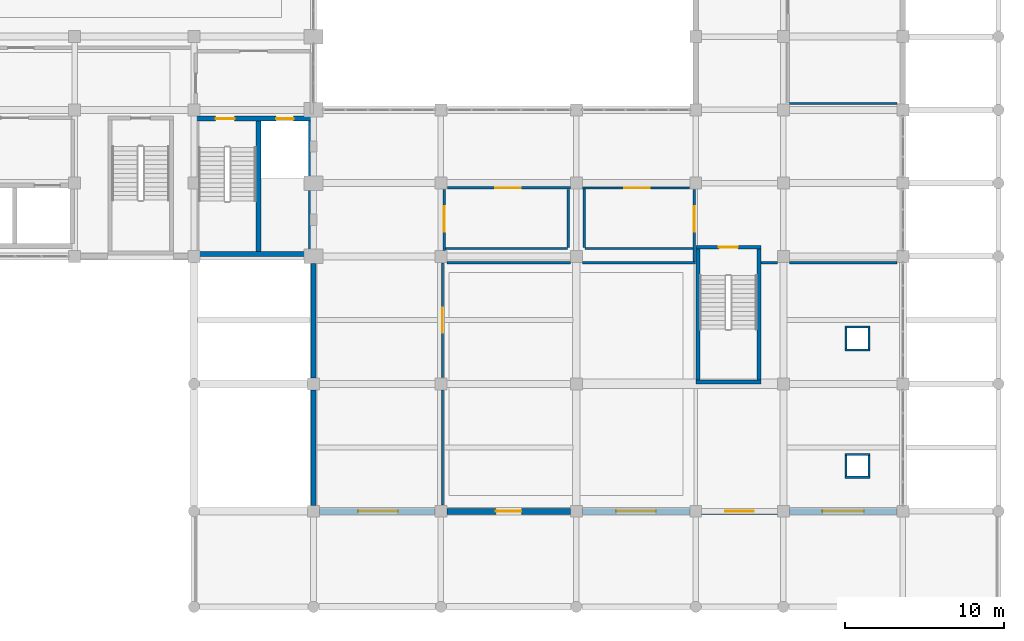
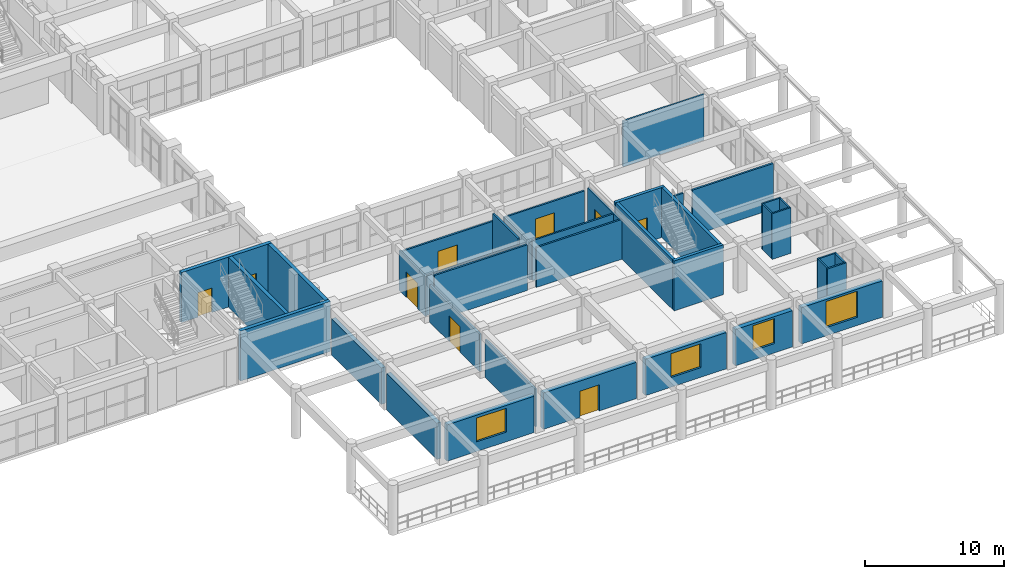
# One storey, part 101 of 116: 38 walls, 9 doors, 4 windows, 13 openings.
"""IFC4 building model written with IfcOpenShell, lengths in metres."""

from ifc_helpers import new_model, si_unit, direction, frame, frame_2d, origin, place, context, subcontext, project, spatial, rectangle, extrude, material, layer, layer_set, type_object, element, fill, save


model = new_model("IFC4")

# Units and contexts
model_context = context("Model", 3, precision=1e-05, world=origin(), true_north=direction((0.0, 1.0)))
body_context = subcontext(model_context, "Body", "Model", "MODEL_VIEW")
ifc_project = project(units=[si_unit("LENGTHUNIT", "METRE"), si_unit("AREAUNIT", "SQUARE_METRE"), si_unit("VOLUMEUNIT", "CUBIC_METRE"), si_unit("PLANEANGLEUNIT", "RADIAN"), si_unit("MASSUNIT", "GRAM", prefix="KILO")], contexts=[model_context])

# Site, building, storey
site_placement = place(None, origin())
site = spatial("IfcSite", under=ifc_project, at=site_placement, CompositionType="ELEMENT")
building_placement = place(site_placement, origin())
building = spatial("IfcBuilding", under=site, at=building_placement, Name="Muzn Square Opera House", CompositionType="ELEMENT")
storey_placement = place(building_placement, frame((0.0, 0.0, 5.39990234375)))
storey = spatial("IfcBuildingStorey", under=building, at=storey_placement, Name="L01", CompositionType="ELEMENT", Elevation=5.39990234375)

# Walls
ifc_material_1 = material(Name="Concrete C45/55", Category="concrete")
ifc_layer_1 = layer(ifc_material_1, 0.25, Name="Concrete C45/55", Category="concrete")
ifc_layer_set_1 = layer_set([ifc_layer_1], Name="Concrete C45/55")
wall_type_1 = type_object("IfcWallType", Name="Aux Stair Enclosure Wall 250mm", PredefinedType="SHEAR", material=ifc_layer_set_1)
wall_1_placement = place(storey_placement, frame((157.0, 14.125, 0.0), z_axis=(0.0, 0.0, 1.0), x_axis=(1.0, 0.0, 0.0)))
element("IfcWall", 1, at=wall_1_placement, inside=storey, type_object=wall_type_1, Name="Escape Stair ST-8 Wall S L01", PredefinedType="SHEAR", context=body_context, shape_type="SweptSolid", body=[
    extrude(rectangle(XDim=4.10009765625, YDim=0.25, at=frame_2d((2.050048828125, 0.0))), origin(), (0.0, 0.0, 1.0), 4.400146484375),
])
for number, where, z_axis, x_axis, name in (
    (2, (157.125, 14.25, 0.0), (0.0, 0.0, 1.0), (0.0, 1.0, 0.0), "Escape Stair ST-8 Wall W L01"),
    (3, (160.97509765625, 14.25, 0.0), (0.0, 0.0, 1.0), (0.0, 1.0, 0.0), "Escape Stair ST-8 Wall E L01"),
):
    element("IfcWall", number, at=place(storey_placement, frame(where, z_axis=z_axis, x_axis=x_axis)), inside=storey, type_object=wall_type_1, Name=name, PredefinedType="SHEAR", context=body_context, shape_type="SweptSolid", body=[
        extrude(rectangle(XDim=8.199951171875, YDim=0.25, at=frame_2d((4.10009765625, 0.0))), origin(), (0.0, 0.0, 1.0), 4.400146484375),
    ])

# Wall, opening, door
wall_2_placement = place(storey_placement, frame((157.0, 22.574951171875, 0.0), z_axis=(0.0, 0.0, 1.0), x_axis=(1.0, 0.0, 0.0)))
wall_2 = element("IfcWall", 4, at=wall_2_placement, inside=storey, type_object=wall_type_1, Name="Escape Stair ST-8 Wall N L01", PredefinedType="SHEAR", context=body_context, shape_type="SweptSolid", body=[
    extrude(rectangle(XDim=4.10009765625, YDim=0.25, at=frame_2d((2.050048828125, 0.0))), origin(), (0.0, 0.0, 1.0), 4.400146484375),
])
opening_1_placement = place(wall_2_placement, frame((1.449951171875, 0.0, 0.0)))
opening_1 = element("IfcOpeningElement", 5, at=opening_1_placement, cuts=wall_2, Name="Opening DR-ST12", PredefinedType="OPENING", context=body_context, shape_type="SweptSolid", body=[
    extrude(rectangle(XDim=1.199951171875, YDim=2.14990234375, at=frame_2d((0.60009765625, 1.074951171875))), frame((0.0, 0.135009765625, 0.0), z_axis=(0.0, -1.0, 0.0), x_axis=(1.0, 0.0, 0.0)), (0.0, 0.0, 1.0), 0.27001953125),
])
ifc_material_2 = material(Name="Galvanised painted steel leaf", Category="metal")
door_type_1 = type_object("IfcDoorType", Name="Core Stair Fire Door 1200x2150", OperationType="NOTDEFINED", PredefinedType="DOOR", material=ifc_material_2)
door_1_placement = place(opening_1_placement, origin())
door_1 = element("IfcDoor", 6, at=door_1_placement, inside=storey, type_object=door_type_1, Name="Escape Stair ST-8 Door L01", OperationType="SINGLE_SWING_RIGHT", OverallHeight=2.14990234375, OverallWidth=1.199951171875, PredefinedType="DOOR", context=body_context, shape_type="SweptSolid", body=[
    extrude(rectangle(XDim=1.199951171875, YDim=2.14990234375, at=frame_2d((0.60009765625, 1.074951171875))), frame((0.0, 0.02490234375, 0.0), z_axis=(0.0, -1.0, 0.0), x_axis=(1.0, 0.0, 0.0)), (0.0, 0.0, 1.0), 0.050048828125),
])
fill(opening_1, door_1)

# Walls
ifc_layer_2 = layer(ifc_material_1, 0.300048828125, Name="Concrete C45/55", Category="concrete")
ifc_layer_set_2 = layer_set([ifc_layer_2], Name="Concrete C45/55")
wall_type_2 = type_object("IfcWallType", Name="Core Shear Wall 300mm", PredefinedType="SHEAR", material=ifc_layer_set_2)
wall_3_placement = place(storey_placement, frame((125.5, 22.14990234375, 0.0), z_axis=(0.0, 0.0, 1.0), x_axis=(1.0, 0.0, 0.0)))
element("IfcWall", 7, at=wall_3_placement, inside=storey, type_object=wall_type_2, Name="Core C4 Shear Wall SW-C4-L01-S", PredefinedType="SHEAR", context=body_context, shape_type="SweptSolid", body=[
    extrude(rectangle(XDim=7.5, YDim=0.300048828125, at=frame_2d((3.75, 0.0))), origin(), (0.0, 0.0, 1.0), 4.400146484375),
])
for number, where, z_axis, x_axis, name in (
    (8, (132.85009765625, 22.300048828125, 0.0), (0.0, 0.0, 1.0), (0.0, 1.0, 0.0), "Core C4 Shear Wall SW-C4-L01-E"),
    (9, (129.550048828125, 22.300048828125, 0.0), (0.0, 0.0, 1.0), (0.0, 1.0, 0.0), "Core C4 Shear Wall SW-C4-L01-DIV"),
):
    element("IfcWall", number, at=place(storey_placement, frame(where, z_axis=z_axis, x_axis=x_axis)), inside=storey, type_object=wall_type_2, Name=name, PredefinedType="SHEAR", context=body_context, shape_type="SweptSolid", body=[
        extrude(rectangle(XDim=8.199951171875, YDim=0.300048828125, at=frame_2d((4.10009765625, 0.0))), origin(), (0.0, 0.0, 1.0), 4.400146484375),
    ])

# Wall, openings, doors
wall_4_placement = place(storey_placement, frame((125.5, 30.64990234375, 0.0), z_axis=(0.0, 0.0, 1.0), x_axis=(1.0, 0.0, 0.0)))
wall_4 = element("IfcWall", 10, at=wall_4_placement, inside=storey, type_object=wall_type_2, Name="Core C4 Front Shear Wall L01", PredefinedType="SHEAR", context=body_context, shape_type="SweptSolid", body=[
    extrude(rectangle(XDim=7.5, YDim=0.300048828125, at=frame_2d((3.75, 0.0))), origin(), (0.0, 0.0, 1.0), 4.400146484375),
])
opening_2_placement = place(wall_4_placement, frame((1.35009765625, 0.0, 0.0)))
opening_2 = element("IfcOpeningElement", 11, at=opening_2_placement, cuts=wall_4, Name="Opening DR-ST12", PredefinedType="OPENING", context=body_context, shape_type="SweptSolid", body=[
    extrude(rectangle(XDim=1.199951171875, YDim=2.14990234375, at=frame_2d((0.60009765625, 1.074951171875))), frame((0.0, 0.159912109375, 0.0), z_axis=(0.0, -1.0, 0.0), x_axis=(1.0, 0.0, 0.0)), (0.0, 0.0, 1.0), 0.320068359375),
])
opening_3_placement = place(wall_4_placement, frame((5.14990234375, 0.0, 0.0)))
opening_3 = element("IfcOpeningElement", 12, at=opening_3_placement, cuts=wall_4, Name="Opening LD-01", PredefinedType="OPENING", context=body_context, shape_type="SweptSolid", body=[
    extrude(rectangle(XDim=1.10009765625, YDim=2.14990234375, at=frame_2d((0.550048828125, 1.074951171875))), frame((0.0, 0.159912109375, 0.0), z_axis=(0.0, -1.0, 0.0), x_axis=(1.0, 0.0, 0.0)), (0.0, 0.0, 1.0), 0.320068359375),
])
door_2_placement = place(opening_2_placement, origin())
door_2 = element("IfcDoor", 13, at=door_2_placement, inside=storey, type_object=door_type_1, Name="Core C4 Stair Door L01", OperationType="SINGLE_SWING_RIGHT", OverallHeight=2.14990234375, OverallWidth=1.199951171875, PredefinedType="DOOR", context=body_context, shape_type="SweptSolid", body=[
    extrude(rectangle(XDim=1.199951171875, YDim=2.14990234375, at=frame_2d((0.60009765625, 1.074951171875))), frame((0.0, 0.02490234375, 0.0), z_axis=(0.0, -1.0, 0.0), x_axis=(1.0, 0.0, 0.0)), (0.0, 0.0, 1.0), 0.050048828125),
])
fill(opening_2, door_2)
ifc_material_3 = material(Name="Brushed stainless steel", Category="metal")
door_type_2 = type_object("IfcDoorType", Name="Lift Landing Sliding Door 1100x2150", OperationType="SLIDING_TO_LEFT", PredefinedType="DOOR", material=ifc_material_3)
door_3_placement = place(opening_3_placement, origin())
door_3 = element("IfcDoor", 14, at=door_3_placement, inside=storey, type_object=door_type_2, Name="Lift PL-3 Sliding Landing Door L01", OperationType="SLIDING_TO_LEFT", OverallHeight=2.14990234375, OverallWidth=1.10009765625, PredefinedType="DOOR", context=body_context, shape_type="SweptSolid", body=[
    extrude(rectangle(XDim=1.10009765625, YDim=2.14990234375, at=frame_2d((0.550048828125, 1.074951171875))), frame((0.0, 0.02490234375, 0.0), z_axis=(0.0, -1.0, 0.0), x_axis=(1.0, 0.0, 0.0)), (0.0, 0.0, 1.0), 0.050048828125),
])
fill(opening_3, door_3)

# Walls
ifc_material_4 = material(Name="Concrete C40/50", Category="concrete")
ifc_layer_3 = layer(ifc_material_4, 0.340087890625, Name="Concrete C40/50", Category="concrete")
ifc_layer_set_3 = layer_set([ifc_layer_3], Name="Concrete C40/50")
wall_type_3 = type_object("IfcWallType", Name="Exterior Insulated Spandrel Wall 340mm", PredefinedType="SOLIDWALL", material=ifc_layer_set_3)
wall_5_placement = place(storey_placement, frame((133.0, 6.375, 0.0), z_axis=(0.0, 0.0, 1.0), x_axis=(0.0, 1.0, 0.0)))
element("IfcWall", 15, at=wall_5_placement, inside=storey, type_object=wall_type_3, Name="Exterior Facade Wall EW-L01-166", PredefinedType="SOLIDWALL", context=body_context, shape_type="SweptSolid", body=[
    extrude(rectangle(XDim=7.25, YDim=0.340087890625, at=frame_2d((3.625, 0.0))), origin(), (0.0, 0.0, 1.0), 3.2001953125),
])
wall_6_placement = place(storey_placement, frame((133.0, 14.375, 0.0), z_axis=(0.0, 0.0, 1.0), x_axis=(0.0, 1.0, 0.0)))
element("IfcWall", 16, at=wall_6_placement, inside=storey, type_object=wall_type_3, Name="Exterior Facade Wall EW-L01-167", PredefinedType="SOLIDWALL", context=body_context, shape_type="SweptSolid", body=[
    extrude(rectangle(XDim=7.175048828125, YDim=0.340087890625, at=frame_2d((3.58740234375, 0.0))), origin(), (0.0, 0.0, 1.0), 3.2001953125),
])

# Wall, opening, window
ifc_layer_4 = layer(ifc_material_4, 0.3798828125, Name="Concrete C40/50", Category="concrete")
ifc_layer_set_4 = layer_set([ifc_layer_4], Name="Concrete C40/50")
wall_type_4 = type_object("IfcWallType", Name="Exterior Limestone Wall 380mm", PredefinedType="SOLIDWALL", material=ifc_layer_set_4)
wall_7_placement = place(storey_placement, frame((133.375, 6.0, 0.0), z_axis=(0.0, 0.0, 1.0), x_axis=(1.0, 0.0, 0.0)))
wall_7 = element("IfcWall", 17, at=wall_7_placement, inside=storey, type_object=wall_type_4, Name="Exterior Facade Wall EW-L01-020", PredefinedType="SOLIDWALL", context=body_context, shape_type="SweptSolid", body=[
    extrude(rectangle(XDim=7.25, YDim=0.3798828125, at=frame_2d((3.625, 0.0))), origin(), (0.0, 0.0, 1.0), 3.2001953125),
])
opening_4_placement = place(wall_7_placement, frame((2.425048828125, 0.0, 0.85009765625)))
opening_4 = element("IfcOpeningElement", 18, at=opening_4_placement, cuts=wall_7, Name="Opening WN-X2521", PredefinedType="OPENING", context=body_context, shape_type="SweptSolid", body=[
    extrude(rectangle(XDim=2.5, YDim=2.10009765625, at=frame_2d((1.25, 1.050048828125))), frame((0.0, 0.199951171875, 0.0), z_axis=(0.0, -1.0, 0.0), x_axis=(1.0, 0.0, 0.0)), (0.0, 0.0, 1.0), 0.39990234375),
])
ifc_material_5 = material(Name="Low-E laminated acoustic double glazing", Category="glass")
window_type_1 = type_object("IfcWindowType", Name="Box Office Window 2500x2100", PartitioningType="DOUBLE_PANEL_VERTICAL", PredefinedType="WINDOW", material=ifc_material_5)
window_1_placement = place(opening_4_placement, origin())
window_1 = element("IfcWindow", 19, at=window_1_placement, inside=storey, type_object=window_type_1, Name="Box Office Window 2500x2100 EW-L01-020-WN01", OverallHeight=2.10009765625, OverallWidth=2.5, PartitioningType="SINGLE_PANEL", PredefinedType="WINDOW", context=body_context, shape_type="SweptSolid", body=[
    extrude(rectangle(XDim=2.5, YDim=2.10009765625, at=frame_2d((1.25, 1.050048828125))), frame((0.0, 0.030029296875, 0.0), z_axis=(0.0, -1.0, 0.0), x_axis=(1.0, 0.0, 0.0)), (0.0, 0.0, 1.0), 0.06005859375),
])
fill(opening_4, window_1)

# Wall, opening, door
wall_8_placement = place(storey_placement, frame((141.375, 6.0, 0.0), z_axis=(0.0, 0.0, 1.0), x_axis=(1.0, 0.0, 0.0)))
wall_8 = element("IfcWall", 20, at=wall_8_placement, inside=storey, type_object=wall_type_4, Name="Exterior Facade Wall EW-L01-021", PredefinedType="SOLIDWALL", context=body_context, shape_type="SweptSolid", body=[
    extrude(rectangle(XDim=7.75, YDim=0.3798828125, at=frame_2d((3.875, 0.0))), origin(), (0.0, 0.0, 1.0), 3.2001953125),
])
opening_5_placement = place(wall_8_placement, frame((4.675048828125, 0.0, 0.0), z_axis=(0.0, 0.0, 1.0), x_axis=(-1.0, 0.0, 0.0)))
opening_5 = element("IfcOpeningElement", 21, at=opening_5_placement, cuts=wall_8, Name="Opening DR-TR16", PredefinedType="OPENING", context=body_context, shape_type="SweptSolid", body=[
    extrude(rectangle(XDim=1.60009765625, YDim=2.300048828125, at=frame_2d((0.800048828125, 1.14990234375))), frame((0.0, 0.199951171875, 0.0), z_axis=(0.0, -1.0, 0.0), x_axis=(1.0, 0.0, 0.0)), (0.0, 0.0, 1.0), 0.39990234375),
])
ifc_material_6 = material(Name="Anodised bronze aluminium", Category="metal")
door_type_3 = type_object("IfcDoorType", Name="Loggia Glazed Door 1600x2300", OperationType="DOUBLE_DOOR_SINGLE_SWING", PredefinedType="DOOR", material=ifc_material_6)
door_4_placement = place(opening_5_placement, origin())
door_4 = element("IfcDoor", 22, at=door_4_placement, inside=storey, type_object=door_type_3, Name="East Loggia Terrace Door", OperationType="DOUBLE_DOOR_SINGLE_SWING", OverallHeight=2.300048828125, OverallWidth=1.60009765625, PredefinedType="DOOR", context=body_context, shape_type="SweptSolid", body=[
    extrude(rectangle(XDim=1.60009765625, YDim=2.300048828125, at=frame_2d((0.800048828125, 1.14990234375))), frame((0.0, 0.02490234375, 0.0), z_axis=(0.0, -1.0, 0.0), x_axis=(1.0, 0.0, 0.0)), (0.0, 0.0, 1.0), 0.050048828125),
])
fill(opening_5, door_4)

# Wall, opening, window
wall_9_placement = place(storey_placement, frame((149.875, 6.0, 0.0), z_axis=(0.0, 0.0, 1.0), x_axis=(1.0, 0.0, 0.0)))
wall_9 = element("IfcWall", 23, at=wall_9_placement, inside=storey, type_object=wall_type_4, Name="Exterior Facade Wall EW-L01-022", PredefinedType="SOLIDWALL", context=body_context, shape_type="SweptSolid", body=[
    extrude(rectangle(XDim=6.75, YDim=0.3798828125, at=frame_2d((3.375, 0.0))), origin(), (0.0, 0.0, 1.0), 3.2001953125),
])
opening_6_placement = place(wall_9_placement, frame((2.125, 0.0, 0.85009765625)))
opening_6 = element("IfcOpeningElement", 24, at=opening_6_placement, cuts=wall_9, Name="Opening WN-X2521", PredefinedType="OPENING", context=body_context, shape_type="SweptSolid", body=[
    extrude(rectangle(XDim=2.5, YDim=2.10009765625, at=frame_2d((1.25, 1.050048828125))), frame((0.0, 0.199951171875, 0.0), z_axis=(0.0, -1.0, 0.0), x_axis=(1.0, 0.0, 0.0)), (0.0, 0.0, 1.0), 0.39990234375),
])
window_2_placement = place(opening_6_placement, origin())
window_2 = element("IfcWindow", 25, at=window_2_placement, inside=storey, type_object=window_type_1, Name="Box Office Window 2500x2100 EW-L01-022-WN01", OverallHeight=2.10009765625, OverallWidth=2.5, PartitioningType="SINGLE_PANEL", PredefinedType="WINDOW", context=body_context, shape_type="SweptSolid", body=[
    extrude(rectangle(XDim=2.5, YDim=2.10009765625, at=frame_2d((1.25, 1.050048828125))), frame((0.0, 0.030029296875, 0.0), z_axis=(0.0, -1.0, 0.0), x_axis=(1.0, 0.0, 0.0)), (0.0, 0.0, 1.0), 0.06005859375),
])
fill(opening_6, window_2)

wall_10_placement = place(storey_placement, frame((157.375, 6.0, 0.0), z_axis=(0.0, 0.0, 1.0), x_axis=(1.0, 0.0, 0.0)))
wall_10 = element("IfcWall", 26, at=wall_10_placement, inside=storey, type_object=wall_type_4, Name="Exterior Facade Wall EW-L01-023", PredefinedType="SOLIDWALL", context=body_context, shape_type="SweptSolid", body=[
    extrude(rectangle(XDim=4.75, YDim=0.3798828125, at=frame_2d((2.375, 0.0))), origin(), (0.0, 0.0, 1.0), 3.2001953125),
])
opening_7_placement = place(wall_10_placement, frame((1.47509765625, 0.0, 0.820068359375)))
opening_7 = element("IfcOpeningElement", 27, at=opening_7_placement, cuts=wall_10, Name="Opening WN-A1822", PredefinedType="OPENING", context=body_context, shape_type="SweptSolid", body=[
    extrude(rectangle(XDim=1.800048828125, YDim=2.199951171875, at=frame_2d((0.89990234375, 1.10009765625))), frame((0.0, 0.199951171875, 0.0), z_axis=(0.0, -1.0, 0.0), x_axis=(1.0, 0.0, 0.0)), (0.0, 0.0, 1.0), 0.39990234375),
])
window_type_2 = type_object("IfcWindowType", Name="Soloist Suite Window 1800x2200", PartitioningType="DOUBLE_PANEL_VERTICAL", PredefinedType="WINDOW", material=ifc_material_5)
window_3_placement = place(opening_7_placement, origin())
window_3 = element("IfcWindow", 28, at=window_3_placement, inside=storey, type_object=window_type_2, Name="Soloist Suite Window 1800x2200 EW-L01-023-WN01", OverallHeight=2.199951171875, OverallWidth=1.800048828125, PartitioningType="SINGLE_PANEL", PredefinedType="WINDOW", context=body_context, shape_type="SweptSolid", body=[
    extrude(rectangle(XDim=1.800048828125, YDim=2.199951171875, at=frame_2d((0.89990234375, 1.10009765625))), frame((0.0, 0.030029296875, 0.0), z_axis=(0.0, -1.0, 0.0), x_axis=(1.0, 0.0, 0.0)), (0.0, 0.0, 1.0), 0.06005859375),
])
fill(opening_7, window_3)

wall_11_placement = place(storey_placement, frame((162.875, 6.0, 0.0), z_axis=(0.0, 0.0, 1.0), x_axis=(1.0, 0.0, 0.0)))
wall_11 = element("IfcWall", 29, at=wall_11_placement, inside=storey, type_object=wall_type_4, Name="Exterior Facade Wall EW-L01-024", PredefinedType="SOLIDWALL", context=body_context, shape_type="SweptSolid", body=[
    extrude(rectangle(XDim=6.75, YDim=0.3798828125, at=frame_2d((3.375, 0.0))), origin(), (0.0, 0.0, 1.0), 3.2001953125),
])
opening_8_placement = place(wall_11_placement, frame((2.074951171875, 0.0, 0.719970703125)))
opening_8 = element("IfcOpeningElement", 30, at=opening_8_placement, cuts=wall_11, Name="Opening WN-D2623", PredefinedType="OPENING", context=body_context, shape_type="SweptSolid", body=[
    extrude(rectangle(XDim=2.60009765625, YDim=2.300048828125, at=frame_2d((1.300048828125, 1.14990234375))), frame((0.0, 0.199951171875, 0.0), z_axis=(0.0, -1.0, 0.0), x_axis=(1.0, 0.0, 0.0)), (0.0, 0.0, 1.0), 0.39990234375),
])
window_type_3 = type_object("IfcWindowType", Name="Dining Courtyard Window 2600x2300", PartitioningType="DOUBLE_PANEL_VERTICAL", PredefinedType="WINDOW", material=ifc_material_5)
window_4_placement = place(opening_8_placement, origin())
window_4 = element("IfcWindow", 31, at=window_4_placement, inside=storey, type_object=window_type_3, Name="Dining Courtyard Window 2600x2300 EW-L01-024-WN01", OverallHeight=2.300048828125, OverallWidth=2.60009765625, PartitioningType="SINGLE_PANEL", PredefinedType="WINDOW", context=body_context, shape_type="SweptSolid", body=[
    extrude(rectangle(XDim=2.60009765625, YDim=2.300048828125, at=frame_2d((1.300048828125, 1.14990234375))), frame((0.0, 0.030029296875, 0.0), z_axis=(0.0, -1.0, 0.0), x_axis=(1.0, 0.0, 0.0)), (0.0, 0.0, 1.0), 0.06005859375),
])
fill(opening_8, window_4)

# Wall, opening, door
ifc_material_7 = material(Name="Acoustic gypsum stud partition", Category="gypsum")
ifc_layer_5 = layer(ifc_material_7, 0.14990234375, Name="Acoustic gypsum stud partition", Category="gypsum")
ifc_layer_set_5 = layer_set([ifc_layer_5], Name="Acoustic gypsum stud partition")
wall_type_5 = type_object("IfcWallType", Name="Office Acoustic Partition 150mm", PredefinedType="PARTITIONING", material=ifc_layer_set_5)
wall_12_placement = place(storey_placement, frame((141.10009765625, 14.39501953125, 0.0), z_axis=(0.0, 0.0, 1.0), x_axis=(0.0, 1.0, 0.0)))
wall_12 = element("IfcWall", 32, at=wall_12_placement, inside=storey, type_object=wall_type_5, Name="Interior Partition PW-L01-0156", PredefinedType="PARTITIONING", context=body_context, shape_type="SweptSolid", body=[
    extrude(rectangle(XDim=7.205078125, YDim=0.14990234375, at=frame_2d((3.6025390625, 0.0))), origin(), (0.0, 0.0, 1.0), 3.300048828125),
])
opening_9_placement = place(wall_12_placement, frame((2.827392578125, 0.0, 0.0)))
opening_9 = element("IfcOpeningElement", 33, at=opening_9_placement, cuts=wall_12, Name="Opening DR-IB15", PredefinedType="OPENING", context=body_context, shape_type="SweptSolid", body=[
    extrude(rectangle(XDim=1.550048828125, YDim=2.25, at=frame_2d((0.77490234375, 1.125))), frame((0.0, 0.0849609375, 0.0), z_axis=(0.0, -1.0, 0.0), x_axis=(1.0, 0.0, 0.0)), (0.0, 0.0, 1.0), 0.169921875),
])
ifc_material_8 = material(Name="Acoustic hardwood leaf", Category="wood")
door_type_4 = type_object("IfcDoorType", Name="Interval Bar Double Door 1550x2250", OperationType="DOUBLE_DOOR_SINGLE_SWING", PredefinedType="DOOR", material=ifc_material_8)
door_5_placement = place(opening_9_placement, origin())
door_5 = element("IfcDoor", 34, at=door_5_placement, inside=storey, type_object=door_type_4, Name="Champagne Interval Bar Door DR-L01-0049", OperationType="DOUBLE_DOOR_SINGLE_SWING", OverallHeight=2.25, OverallWidth=1.550048828125, PredefinedType="DOOR", context=body_context, shape_type="SweptSolid", body=[
    extrude(rectangle(XDim=1.550048828125, YDim=2.25, at=frame_2d((0.77490234375, 1.125))), frame((0.0, 0.02490234375, 0.0), z_axis=(0.0, -1.0, 0.0), x_axis=(1.0, 0.0, 0.0)), (0.0, 0.0, 1.0), 0.050048828125),
])
fill(opening_9, door_5)

# Wall
wall_13_placement = place(storey_placement, frame((141.10009765625, 6.39990234375, 0.0), z_axis=(0.0, 0.0, 1.0), x_axis=(0.0, 1.0, 0.0)))
element("IfcWall", 35, at=wall_13_placement, inside=storey, type_object=wall_type_5, Name="Interior Partition PW-L01-0157", PredefinedType="PARTITIONING", context=body_context, shape_type="SweptSolid", body=[
    extrude(rectangle(XDim=7.205078125, YDim=0.14990234375, at=frame_2d((3.6025390625, 0.0))), origin(), (0.0, 0.0, 1.0), 3.330078125),
])

# Wall, opening, door
wall_14_placement = place(storey_placement, frame((141.39990234375, 26.300048828125, 0.0), z_axis=(0.0, 0.0, 1.0), x_axis=(1.0, 0.0, 0.0)))
wall_14 = element("IfcWall", 36, at=wall_14_placement, inside=storey, type_object=wall_type_5, Name="Interior Partition PW-L01-0168", PredefinedType="PARTITIONING", context=body_context, shape_type="SweptSolid", body=[
    extrude(rectangle(XDim=7.72021484375, YDim=0.14990234375, at=frame_2d((3.860107421875, 0.0))), origin(), (0.0, 0.0, 1.0), 3.300048828125),
])
opening_10_placement = place(wall_14_placement, frame((3.0, 0.0, 0.0)))
opening_10 = element("IfcOpeningElement", 37, at=opening_10_placement, cuts=wall_14, Name="Opening DR-AU16", PredefinedType="OPENING", context=body_context, shape_type="SweptSolid", body=[
    extrude(rectangle(XDim=1.60009765625, YDim=2.25, at=frame_2d((0.800048828125, 1.125))), frame((0.0, 0.0849609375, 0.0), z_axis=(0.0, -1.0, 0.0), x_axis=(1.0, 0.0, 0.0)), (0.0, 0.0, 1.0), 0.169921875),
])
door_type_5 = type_object("IfcDoorType", Name="Balcony Acoustic Entry Door 1600x2250", OperationType="DOUBLE_DOOR_SINGLE_SWING", PredefinedType="DOOR", material=ifc_material_8)
door_6_placement = place(opening_10_placement, origin())
door_6 = element("IfcDoor", 38, at=door_6_placement, inside=storey, type_object=door_type_5, Name="Dress Circle Attendant Lounge Door DR-L01-0054", OperationType="DOUBLE_DOOR_SINGLE_SWING", OverallHeight=2.25, OverallWidth=1.60009765625, PredefinedType="DOOR", context=body_context, shape_type="SweptSolid", body=[
    extrude(rectangle(XDim=1.60009765625, YDim=2.25, at=frame_2d((0.800048828125, 1.125))), frame((0.0, 0.02490234375, 0.0), z_axis=(0.0, -1.0, 0.0), x_axis=(1.0, 0.0, 0.0)), (0.0, 0.0, 1.0), 0.050048828125),
])
fill(opening_10, door_6)

wall_15_placement = place(storey_placement, frame((141.199951171875, 22.3798828125, 0.0), z_axis=(0.0, 0.0, 1.0), x_axis=(0.0, 1.0, 0.0)))
wall_15 = element("IfcWall", 39, at=wall_15_placement, inside=storey, type_object=wall_type_5, Name="Interior Partition PW-L01-0169", PredefinedType="PARTITIONING", context=body_context, shape_type="SweptSolid", body=[
    extrude(rectangle(XDim=3.820068359375, YDim=0.14990234375, at=frame_2d((1.91015625, 0.0))), origin(), (0.0, 0.0, 1.0), 3.5),
])
opening_11_placement = place(wall_15_placement, frame((1.169921875, 0.0, 0.0)))
opening_11 = element("IfcOpeningElement", 40, at=opening_11_placement, cuts=wall_15, Name="Opening DR-AU16", PredefinedType="OPENING", context=body_context, shape_type="SweptSolid", body=[
    extrude(rectangle(XDim=1.60009765625, YDim=2.25, at=frame_2d((0.800048828125, 1.125))), frame((0.0, 0.0849609375, 0.0), z_axis=(0.0, -1.0, 0.0), x_axis=(1.0, 0.0, 0.0)), (0.0, 0.0, 1.0), 0.169921875),
])
door_7_placement = place(opening_11_placement, origin())
door_7 = element("IfcDoor", 41, at=door_7_placement, inside=storey, type_object=door_type_5, Name="Dress Circle Attendant Lounge Door DR-L01-0055", OperationType="DOUBLE_DOOR_SINGLE_SWING", OverallHeight=2.25, OverallWidth=1.60009765625, PredefinedType="DOOR", context=body_context, shape_type="SweptSolid", body=[
    extrude(rectangle(XDim=1.60009765625, YDim=2.25, at=frame_2d((0.800048828125, 1.125))), frame((0.0, 0.02490234375, 0.0), z_axis=(0.0, -1.0, 0.0), x_axis=(1.0, 0.0, 0.0)), (0.0, 0.0, 1.0), 0.050048828125),
])
fill(opening_11, door_7)

# Walls
wall_16_placement = place(storey_placement, frame((141.3798828125, 21.60009765625, 0.0), z_axis=(0.0, 0.0, 1.0), x_axis=(1.0, 0.0, 0.0)))
element("IfcWall", 42, at=wall_16_placement, inside=storey, type_object=wall_type_5, Name="Room Enclosure Partition PW-L01-0208", PredefinedType="PARTITIONING", context=body_context, shape_type="SweptSolid", body=[
    extrude(rectangle(XDim=7.740234375, YDim=0.14990234375, at=frame_2d((3.8701171875, 0.0))), origin(), (0.0, 0.0, 1.0), 4.02001953125),
])
wall_17_placement = place(storey_placement, frame((149.8798828125, 21.60009765625, 0.0), z_axis=(0.0, 0.0, 1.0), x_axis=(1.0, 0.0, 0.0)))
element("IfcWall", 43, at=wall_17_placement, inside=storey, type_object=wall_type_5, Name="Room Enclosure Partition PW-L01-0209", PredefinedType="PARTITIONING", context=body_context, shape_type="SweptSolid", body=[
    extrude(rectangle(XDim=7.115234375, YDim=0.14990234375, at=frame_2d((3.5576171875, 0.0))), origin(), (0.0, 0.0, 1.0), 3.5),
])
wall_18_placement = place(storey_placement, frame((161.10498046875, 21.60009765625, 0.0), z_axis=(0.0, 0.0, 1.0), x_axis=(1.0, 0.0, 0.0)))
element("IfcWall", 44, at=wall_18_placement, inside=storey, type_object=wall_type_5, Name="Room Enclosure Partition PW-L01-0210", PredefinedType="PARTITIONING", context=body_context, shape_type="SweptSolid", body=[
    extrude(rectangle(XDim=1.01513671875, YDim=0.14990234375, at=frame_2d((0.507568359375, 0.0))), origin(), (0.0, 0.0, 1.0), 4.02001953125),
])
wall_19_placement = place(storey_placement, frame((162.8798828125, 21.60009765625, 0.0), z_axis=(0.0, 0.0, 1.0), x_axis=(1.0, 0.0, 0.0)))
element("IfcWall", 45, at=wall_19_placement, inside=storey, type_object=wall_type_5, Name="Room Enclosure Partition PW-L01-0211", PredefinedType="PARTITIONING", context=body_context, shape_type="SweptSolid", body=[
    extrude(rectangle(XDim=6.740234375, YDim=0.14990234375, at=frame_2d((3.3701171875, 0.0))), origin(), (0.0, 0.0, 1.0), 4.02001953125),
])
wall_20_placement = place(storey_placement, frame((141.280029296875, 22.5, 0.0), z_axis=(0.0, 0.0, 1.0), x_axis=(1.0, 0.0, 0.0)))
element("IfcWall", 46, at=wall_20_placement, inside=storey, type_object=wall_type_5, Name="Room Enclosure Partition PW-L01-0220", PredefinedType="PARTITIONING", context=body_context, shape_type="SweptSolid", body=[
    extrude(rectangle(XDim=7.659912109375, YDim=0.14990234375, at=frame_2d((3.830078125, 0.0))), origin(), (0.0, 0.0, 1.0), 3.5),
])
wall_21_placement = place(storey_placement, frame((149.0, 22.56005859375, 0.0), z_axis=(0.0, 0.0, 1.0), x_axis=(0.0, 1.0, 0.0)))
element("IfcWall", 47, at=wall_21_placement, inside=storey, type_object=wall_type_5, Name="Room Enclosure Partition PW-L01-0221", PredefinedType="PARTITIONING", context=body_context, shape_type="SweptSolid", body=[
    extrude(rectangle(XDim=3.639892578125, YDim=0.14990234375, at=frame_2d((1.81982421875, 0.0))), origin(), (0.0, 0.0, 1.0), 4.02001953125),
])
ifc_layer_6 = layer(ifc_material_7, 0.1298828125, Name="Acoustic gypsum stud partition", Category="gypsum")
ifc_layer_set_6 = layer_set([ifc_layer_6], Name="Acoustic gypsum stud partition")
wall_type_6 = type_object("IfcWallType", Name="Service Closet Partition 130mm", PredefinedType="PARTITIONING", material=ifc_layer_set_6)
for number, where, z_axis, x_axis, name in (
    (48, (166.3701171875, 8.135009765625, 0.0), (0.0, 0.0, 1.0), (1.0, 0.0, 0.0), "MEP Riser Shaft Wall RSR-ES L01-S"),
    (49, (166.3701171875, 9.56494140625, 0.0), (0.0, 0.0, 1.0), (1.0, 0.0, 0.0), "MEP Riser Shaft Wall RSR-ES L01-N"),
):
    element("IfcWall", number, at=place(storey_placement, frame(where, z_axis=z_axis, x_axis=x_axis)), inside=storey, type_object=wall_type_6, Name=name, PredefinedType="PARTITIONING", context=body_context, shape_type="SweptSolid", body=[
        extrude(rectangle(XDim=1.559814453125, YDim=0.1298828125, at=frame_2d((0.77978515625, 0.0))), origin(), (0.0, 0.0, 1.0), 4.02001953125),
    ])
for number, where, z_axis, x_axis, name in (
    (50, (166.43505859375, 8.199951171875, 0.0), (0.0, 0.0, 1.0), (0.0, 1.0, 0.0), "MEP Riser Shaft Wall RSR-ES L01-W"),
    (51, (167.864990234375, 8.199951171875, 0.0), (0.0, 0.0, 1.0), (0.0, 1.0, 0.0), "MEP Riser Shaft Wall RSR-ES L01-E"),
):
    element("IfcWall", number, at=place(storey_placement, frame(where, z_axis=z_axis, x_axis=x_axis)), inside=storey, type_object=wall_type_6, Name=name, PredefinedType="PARTITIONING", context=body_context, shape_type="SweptSolid", body=[
        extrude(rectangle(XDim=1.300048828125, YDim=0.1298828125, at=frame_2d((0.64990234375, 0.0))), origin(), (0.0, 0.0, 1.0), 4.02001953125),
    ])
for number, where, z_axis, x_axis, name in (
    (52, (166.3701171875, 16.135009765625, 0.0), (0.0, 0.0, 1.0), (1.0, 0.0, 0.0), "MEP Riser Shaft Wall RSR-EN L01-S"),
    (53, (166.3701171875, 17.56494140625, 0.0), (0.0, 0.0, 1.0), (1.0, 0.0, 0.0), "MEP Riser Shaft Wall RSR-EN L01-N"),
):
    element("IfcWall", number, at=place(storey_placement, frame(where, z_axis=z_axis, x_axis=x_axis)), inside=storey, type_object=wall_type_6, Name=name, PredefinedType="PARTITIONING", context=body_context, shape_type="SweptSolid", body=[
        extrude(rectangle(XDim=1.559814453125, YDim=0.1298828125, at=frame_2d((0.77978515625, 0.0))), origin(), (0.0, 0.0, 1.0), 4.02001953125),
    ])
for number, where, z_axis, x_axis, name in (
    (54, (166.43505859375, 16.199951171875, 0.0), (0.0, 0.0, 1.0), (0.0, 1.0, 0.0), "MEP Riser Shaft Wall RSR-EN L01-W"),
    (55, (167.864990234375, 16.199951171875, 0.0), (0.0, 0.0, 1.0), (0.0, 1.0, 0.0), "MEP Riser Shaft Wall RSR-EN L01-E"),
):
    element("IfcWall", number, at=place(storey_placement, frame(where, z_axis=z_axis, x_axis=x_axis)), inside=storey, type_object=wall_type_6, Name=name, PredefinedType="PARTITIONING", context=body_context, shape_type="SweptSolid", body=[
        extrude(rectangle(XDim=1.300048828125, YDim=0.1298828125, at=frame_2d((0.64990234375, 0.0))), origin(), (0.0, 0.0, 1.0), 4.02001953125),
    ])

# Wall, opening, door
ifc_layer_7 = layer(ifc_material_7, 0.139892578125, Name="Acoustic gypsum stud partition", Category="gypsum")
ifc_layer_set_7 = layer_set([ifc_layer_7], Name="Acoustic gypsum stud partition")
wall_type_7 = type_object("IfcWallType", Name="Wet Room Tile Partition 140mm", PredefinedType="PARTITIONING", material=ifc_layer_set_7)
wall_22_placement = place(storey_placement, frame((149.8798828125, 26.300048828125, 0.0), z_axis=(0.0, 0.0, 1.0), x_axis=(1.0, 0.0, 0.0)))
wall_22 = element("IfcWall", 56, at=wall_22_placement, inside=storey, type_object=wall_type_7, Name="Interior Partition PW-L01-0170", PredefinedType="PARTITIONING", context=body_context, shape_type="SweptSolid", body=[
    extrude(rectangle(XDim=6.72021484375, YDim=0.139892578125, at=frame_2d((3.360107421875, 0.0))), origin(), (0.0, 0.0, 1.0), 3.300048828125),
])
opening_12_placement = place(wall_22_placement, frame((2.6201171875, 0.0, 0.0)))
opening_12 = element("IfcOpeningElement", 57, at=opening_12_placement, cuts=wall_22, Name="Opening DR-AU16", PredefinedType="OPENING", context=body_context, shape_type="SweptSolid", body=[
    extrude(rectangle(XDim=1.60009765625, YDim=2.25, at=frame_2d((0.800048828125, 1.125))), frame((0.0, 0.079833984375, 0.0), z_axis=(0.0, -1.0, 0.0), x_axis=(1.0, 0.0, 0.0)), (0.0, 0.0, 1.0), 0.159912109375),
])
door_8_placement = place(opening_12_placement, origin())
door_8 = element("IfcDoor", 58, at=door_8_placement, inside=storey, type_object=door_type_5, Name="Dress Circle Accessible WC Door DR-L01-0056", OperationType="DOUBLE_DOOR_SINGLE_SWING", OverallHeight=2.25, OverallWidth=1.60009765625, PredefinedType="DOOR", context=body_context, shape_type="SweptSolid", body=[
    extrude(rectangle(XDim=1.60009765625, YDim=2.25, at=frame_2d((0.800048828125, 1.125))), frame((0.0, 0.02490234375, 0.0), z_axis=(0.0, -1.0, 0.0), x_axis=(1.0, 0.0, 0.0)), (0.0, 0.0, 1.0), 0.050048828125),
])
fill(opening_12, door_8)

wall_23_placement = place(storey_placement, frame((156.89990234375, 21.679931640625, 0.0), z_axis=(0.0, 0.0, 1.0), x_axis=(0.0, 1.0, 0.0)))
wall_23 = element("IfcWall", 59, at=wall_23_placement, inside=storey, type_object=wall_type_7, Name="Interior Partition PW-L01-0171", PredefinedType="PARTITIONING", context=body_context, shape_type="SweptSolid", body=[
    extrude(rectangle(XDim=4.52001953125, YDim=0.139892578125, at=frame_2d((2.260009765625, 0.0))), origin(), (0.0, 0.0, 1.0), 3.5),
])
opening_13_placement = place(wall_23_placement, frame((1.8701171875, 0.0, 0.0)))
opening_13 = element("IfcOpeningElement", 60, at=opening_13_placement, cuts=wall_23, Name="Opening DR-AU16", PredefinedType="OPENING", context=body_context, shape_type="SweptSolid", body=[
    extrude(rectangle(XDim=1.60009765625, YDim=2.25, at=frame_2d((0.800048828125, 1.125))), frame((0.0, 0.079833984375, 0.0), z_axis=(0.0, -1.0, 0.0), x_axis=(1.0, 0.0, 0.0)), (0.0, 0.0, 1.0), 0.159912109375),
])
door_9_placement = place(opening_13_placement, origin())
door_9 = element("IfcDoor", 61, at=door_9_placement, inside=storey, type_object=door_type_5, Name="Dress Circle Accessible WC Door DR-L01-0057", OperationType="DOUBLE_DOOR_SINGLE_SWING", OverallHeight=2.25, OverallWidth=1.60009765625, PredefinedType="DOOR", context=body_context, shape_type="SweptSolid", body=[
    extrude(rectangle(XDim=1.60009765625, YDim=2.25, at=frame_2d((0.800048828125, 1.125))), frame((0.0, 0.02490234375, 0.0), z_axis=(0.0, -1.0, 0.0), x_axis=(1.0, 0.0, 0.0)), (0.0, 0.0, 1.0), 0.050048828125),
])
fill(opening_13, door_9)

# Walls
wall_24_placement = place(storey_placement, frame((162.8798828125, 31.60009765625, 0.0), z_axis=(0.0, 0.0, 1.0), x_axis=(1.0, 0.0, 0.0)))
element("IfcWall", 62, at=wall_24_placement, inside=storey, type_object=wall_type_7, Name="Room Enclosure Partition PW-L01-0219", PredefinedType="PARTITIONING", context=body_context, shape_type="SweptSolid", body=[
    extrude(rectangle(XDim=6.740234375, YDim=0.139892578125, at=frame_2d((3.3701171875, 0.0))), origin(), (0.0, 0.0, 1.0), 4.02001953125),
])
wall_25_placement = place(storey_placement, frame((150.054931640625, 22.5, 0.0), z_axis=(0.0, 0.0, 1.0), x_axis=(1.0, 0.0, 0.0)))
element("IfcWall", 63, at=wall_25_placement, inside=storey, type_object=wall_type_7, Name="Room Enclosure Partition PW-L01-0222", PredefinedType="PARTITIONING", context=body_context, shape_type="SweptSolid", body=[
    extrude(rectangle(XDim=6.77001953125, YDim=0.139892578125, at=frame_2d((3.385009765625, 0.0))), origin(), (0.0, 0.0, 1.0), 3.5),
])
wall_26_placement = place(storey_placement, frame((150.0, 22.554931640625, 0.0), z_axis=(0.0, 0.0, 1.0), x_axis=(0.0, 1.0, 0.0)))
element("IfcWall", 64, at=wall_26_placement, inside=storey, type_object=wall_type_7, Name="Room Enclosure Partition PW-L01-0223", PredefinedType="PARTITIONING", context=body_context, shape_type="SweptSolid", body=[
    extrude(rectangle(XDim=3.670166015625, YDim=0.139892578125, at=frame_2d((1.8349609375, 0.0))), origin(), (0.0, 0.0, 1.0), 3.300048828125),
])

save(model, "model.ifc")
